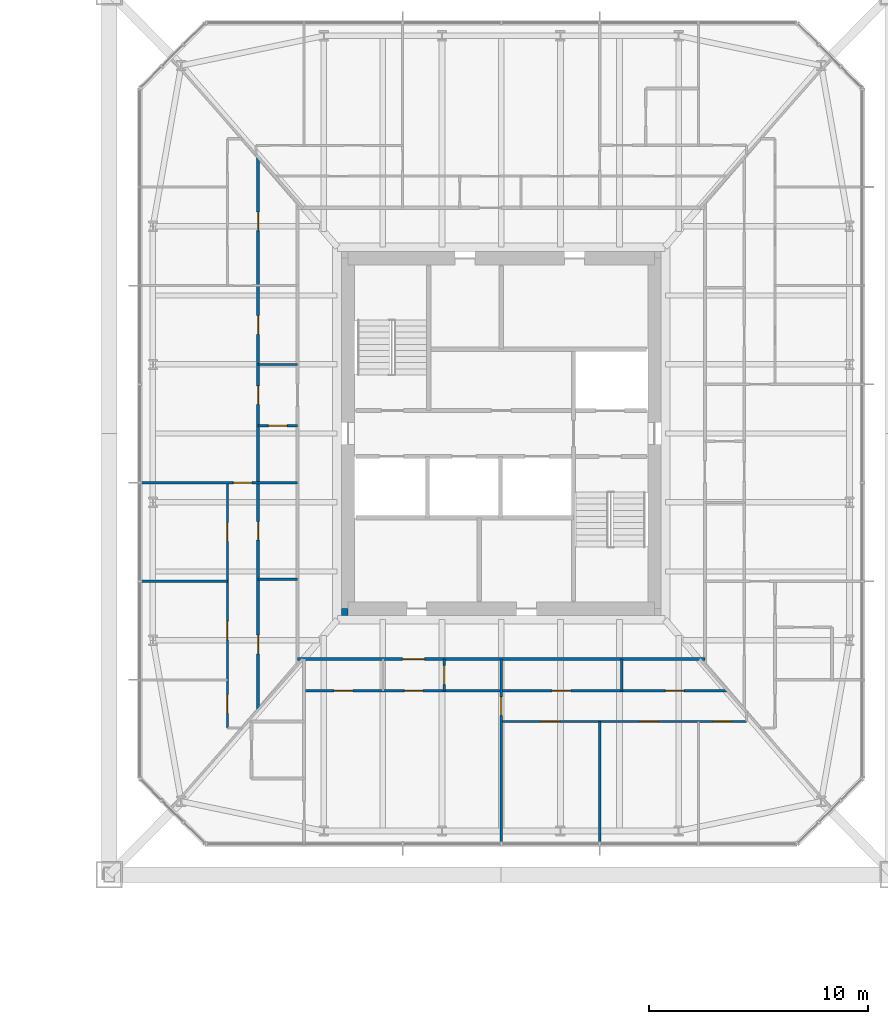
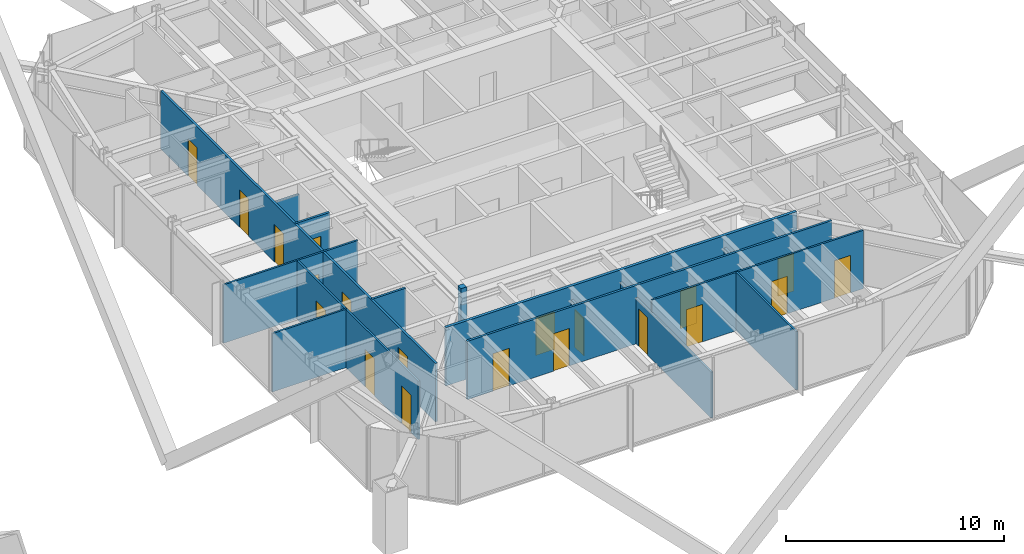
# One storey, part 19 of 27: 20 doors, 15 walls, 20 openings.
"""IFC4 building model written with IfcOpenShell, lengths in metres."""

from ifc_helpers import new_model, si_unit, direction, frame, frame_2d, origin, place, context, subcontext, project, spatial, rectangle, extrude, material, layer, layer_set, type_object, element, fill, save


model = new_model("IFC4")

# Units and contexts
model_context = context("Model", 3, precision=1e-05, world=origin(), true_north=direction((0.0, 1.0)))
body_context = subcontext(model_context, "Body", "Model", "MODEL_VIEW")
ifc_project = project(units=[si_unit("LENGTHUNIT", "METRE"), si_unit("AREAUNIT", "SQUARE_METRE"), si_unit("VOLUMEUNIT", "CUBIC_METRE"), si_unit("PLANEANGLEUNIT", "RADIAN"), si_unit("MASSUNIT", "GRAM", prefix="KILO")], contexts=[model_context])

# Site, building, storey
site_placement = place(None, origin())
site = spatial("IfcSite", under=ifc_project, at=site_placement, CompositionType="ELEMENT")
building_placement = place(site_placement, origin())
building = spatial("IfcBuilding", under=site, at=building_placement, Name="Iwan Alto Co-Living Towers", CompositionType="ELEMENT")
storey_placement = place(building_placement, frame((0.0, 0.0, 25.5)))
storey = spatial("IfcBuildingStorey", under=building, at=storey_placement, Name="L06", CompositionType="ELEMENT", Elevation=25.5)

# Wall, opening, door
ifc_material_1 = material(Name="Gypsum board")
ifc_layer_1 = layer(ifc_material_1, 0.02490234375, Name="Board", Category="Finish")
ifc_material_2 = material(Name="Steel ASTM A1003 ST33H cold-formed studs", Category="steel")
ifc_layer_2 = layer(ifc_material_2, 0.10009765625, Name="Studs", Category="Framing")
ifc_layer_3 = layer(ifc_material_1, 0.02490234375, Name="Board", Category="Finish")
ifc_layer_set_1 = layer_set([ifc_layer_1, ifc_layer_2, ifc_layer_3], Name="CORRIDOR WALL 150")
wall_type_1 = type_object("IfcWallType", Name="CORRIDOR WALL 150", PredefinedType="PARTITIONING", material=ifc_layer_set_1)
wall_1_placement = place(storey_placement, frame((53.699951171875, -10.300048828125, 0.0), z_axis=(0.0, 0.0, 1.0), x_axis=(1.0, 0.0, 0.0)))
wall_1 = element("IfcWall", 1, at=wall_1_placement, inside=storey, type_object=wall_type_1, Name="Partition L06", PredefinedType="PARTITIONING", context=body_context, shape_type="SweptSolid", body=[
    extrude(rectangle(XDim=18.60009765625, YDim=0.14990234375, at=frame_2d((9.300048828125, 0.0))), origin(), (0.0, 0.0, 1.0), 3.27001953125),
])
opening_1_placement = place(wall_1_placement, frame((4.800048828125, 0.0, 0.0)))
opening_1 = element("IfcOpeningElement", 2, at=opening_1_placement, cuts=wall_1, Name="Opening D3", PredefinedType="OPENING", context=body_context, shape_type="SweptSolid", body=[
    extrude(rectangle(XDim=1.0, YDim=2.10009765625, at=frame_2d((0.5, 1.050048828125))), frame((0.0, 0.0849609375, 0.0), z_axis=(0.0, -1.0, 0.0), x_axis=(1.0, 0.0, 0.0)), (0.0, 0.0, 1.0), 0.169921875),
])
ifc_material_3 = material(Name="Steel frame with timber leaf", Category="steel")
door_type_1 = type_object("IfcDoorType", Name="FLAT ENTRANCE DOOR FD30S 1000X2100", OperationType="SINGLE_SWING_LEFT", PredefinedType="DOOR", material=ifc_material_3)
door_1_placement = place(opening_1_placement, frame((1.0, 0.0, 0.0), z_axis=(0.0, 0.0, 1.0), x_axis=(-1.0, 0.0, 0.0)))
door_1 = element("IfcDoor", 3, at=door_1_placement, inside=storey, type_object=door_type_1, Name="Apartment foyer door L06", OperationType="SINGLE_SWING_RIGHT", OverallHeight=2.10009765625, OverallWidth=1.0, PredefinedType="DOOR", context=body_context, shape_type="SweptSolid", body=[
    extrude(rectangle(XDim=1.0, YDim=2.10009765625, at=frame_2d((0.5, 1.050048828125))), frame((0.0, 0.02490234375, 0.0), z_axis=(0.0, -1.0, 0.0), x_axis=(1.0, 0.0, 0.0)), (0.0, 0.0, 1.0), 0.050048828125),
])
fill(opening_1, door_1)

# Wall, openings, doors
ifc_layer_4 = layer(ifc_material_1, 0.012451171875, Name="Board", Category="Finish")
ifc_layer_5 = layer(ifc_material_2, 0.074951171875, Name="Studs", Category="Framing")
ifc_layer_6 = layer(ifc_material_1, 0.012451171875, Name="Board", Category="Finish")
ifc_layer_set_2 = layer_set([ifc_layer_4, ifc_layer_5, ifc_layer_6], Name="PARTITION 100")
wall_type_2 = type_object("IfcWallType", Name="PARTITION 100", PredefinedType="PARTITIONING", material=ifc_layer_set_2)
wall_2_placement = place(storey_placement, frame((63.0, -13.14990234375, 0.0), z_axis=(0.0, 0.0, 1.0), x_axis=(1.0, 0.0, 0.0)))
wall_2 = element("IfcWall", 4, at=wall_2_placement, inside=storey, type_object=wall_type_2, Name="Partition L06", PredefinedType="PARTITIONING", context=body_context, shape_type="SweptSolid", body=[
    extrude(rectangle(XDim=11.199951171875, YDim=0.10009765625, at=frame_2d((5.60009765625, 0.0))), origin(), (0.0, 0.0, 1.0), 3.27001953125),
])
opening_2_placement = place(wall_2_placement, frame((1.824951171875, 0.0, 0.0)))
opening_2 = element("IfcOpeningElement", 5, at=opening_2_placement, cuts=wall_2, Name="Opening D2", PredefinedType="OPENING", context=body_context, shape_type="SweptSolid", body=[
    extrude(rectangle(XDim=0.85009765625, YDim=2.10009765625, at=frame_2d((0.425048828125, 1.050048828125))), frame((0.0, 0.06005859375, 0.0), z_axis=(0.0, -1.0, 0.0), x_axis=(1.0, 0.0, 0.0)), (0.0, 0.0, 1.0), 0.1201171875),
])
opening_3_placement = place(wall_2_placement, frame((6.324951171875, 0.0, 0.0)))
opening_3 = element("IfcOpeningElement", 6, at=opening_3_placement, cuts=wall_2, Name="Opening D2", PredefinedType="OPENING", context=body_context, shape_type="SweptSolid", body=[
    extrude(rectangle(XDim=0.85009765625, YDim=2.10009765625, at=frame_2d((0.425048828125, 1.050048828125))), frame((0.0, 0.06005859375, 0.0), z_axis=(0.0, -1.0, 0.0), x_axis=(1.0, 0.0, 0.0)), (0.0, 0.0, 1.0), 0.1201171875),
])
opening_4_placement = place(wall_2_placement, frame((9.675048828125, 0.0, 0.0)))
opening_4 = element("IfcOpeningElement", 7, at=opening_4_placement, cuts=wall_2, Name="Opening D2", PredefinedType="OPENING", context=body_context, shape_type="SweptSolid", body=[
    extrude(rectangle(XDim=0.85009765625, YDim=2.10009765625, at=frame_2d((0.425048828125, 1.050048828125))), frame((0.0, 0.06005859375, 0.0), z_axis=(0.0, -1.0, 0.0), x_axis=(1.0, 0.0, 0.0)), (0.0, 0.0, 1.0), 0.1201171875),
])
ifc_material_4 = material(Name="Timber leaf in steel frame", Category="steel")
door_type_2 = type_object("IfcDoorType", Name="ROOM DOOR 850X2100", OperationType="SINGLE_SWING_LEFT", PredefinedType="DOOR", material=ifc_material_4)
door_2_placement = place(opening_2_placement, frame((0.85009765625, 0.0, 0.0), z_axis=(0.0, 0.0, 1.0), x_axis=(-1.0, 0.0, 0.0)))
door_2 = element("IfcDoor", 8, at=door_2_placement, inside=storey, type_object=door_type_2, Name="Bedroom door L06", OperationType="SINGLE_SWING_RIGHT", OverallHeight=2.10009765625, OverallWidth=0.85009765625, PredefinedType="DOOR", context=body_context, shape_type="SweptSolid", body=[
    extrude(rectangle(XDim=0.85009765625, YDim=2.10009765625, at=frame_2d((0.425048828125, 1.050048828125))), frame((0.0, 0.02490234375, 0.0), z_axis=(0.0, -1.0, 0.0), x_axis=(1.0, 0.0, 0.0)), (0.0, 0.0, 1.0), 0.050048828125),
])
fill(opening_2, door_2)
door_3_placement = place(opening_3_placement, frame((0.85009765625, 0.0, 0.0), z_axis=(0.0, 0.0, 1.0), x_axis=(-1.0, 0.0, 0.0)))
door_3 = element("IfcDoor", 9, at=door_3_placement, inside=storey, type_object=door_type_2, Name="Study door L06", OperationType="SINGLE_SWING_RIGHT", OverallHeight=2.10009765625, OverallWidth=0.85009765625, PredefinedType="DOOR", context=body_context, shape_type="SweptSolid", body=[
    extrude(rectangle(XDim=0.85009765625, YDim=2.10009765625, at=frame_2d((0.425048828125, 1.050048828125))), frame((0.0, 0.02490234375, 0.0), z_axis=(0.0, -1.0, 0.0), x_axis=(1.0, 0.0, 0.0)), (0.0, 0.0, 1.0), 0.050048828125),
])
fill(opening_3, door_3)
door_4_placement = place(opening_4_placement, frame((0.85009765625, 0.0, 0.0), z_axis=(0.0, 0.0, 1.0), x_axis=(-1.0, 0.0, 0.0)))
door_4 = element("IfcDoor", 10, at=door_4_placement, inside=storey, type_object=door_type_2, Name="Bedroom door L06", OperationType="SINGLE_SWING_RIGHT", OverallHeight=2.10009765625, OverallWidth=0.85009765625, PredefinedType="DOOR", context=body_context, shape_type="SweptSolid", body=[
    extrude(rectangle(XDim=0.85009765625, YDim=2.10009765625, at=frame_2d((0.425048828125, 1.050048828125))), frame((0.0, 0.02490234375, 0.0), z_axis=(0.0, -1.0, 0.0), x_axis=(1.0, 0.0, 0.0)), (0.0, 0.0, 1.0), 0.050048828125),
])
fill(opening_4, door_4)

# Wall
wall_3_placement = place(storey_placement, frame((46.56005859375, -6.75, 0.0), z_axis=(0.0, 0.0, 1.0), x_axis=(1.0, 0.0, 0.0)))
element("IfcWall", 11, at=wall_3_placement, inside=storey, type_object=wall_type_2, Name="Partition L06", PredefinedType="PARTITIONING", context=body_context, shape_type="SweptSolid", body=[
    extrude(rectangle(XDim=3.93994140625, YDim=0.10009765625, at=frame_2d((1.969970703125, 0.0))), origin(), (0.0, 0.0, 1.0), 3.27001953125),
])

# Wall, opening, door
wall_4_placement = place(storey_placement, frame((46.56005859375, -2.25, 0.0), z_axis=(0.0, 0.0, 1.0), x_axis=(1.0, 0.0, 0.0)))
wall_4 = element("IfcWall", 12, at=wall_4_placement, inside=storey, type_object=wall_type_2, Name="Partition L06", PredefinedType="PARTITIONING", context=body_context, shape_type="SweptSolid", body=[
    extrude(rectangle(XDim=7.139892578125, YDim=0.10009765625, at=frame_2d((3.56982421875, 0.0))), origin(), (0.0, 0.0, 1.0), 3.27001953125),
])
opening_5_placement = place(wall_4_placement, frame((4.215087890625, 0.0, 0.0)))
opening_5 = element("IfcOpeningElement", 13, at=opening_5_placement, cuts=wall_4, Name="Opening D2", PredefinedType="OPENING", context=body_context, shape_type="SweptSolid", body=[
    extrude(rectangle(XDim=0.85009765625, YDim=2.10009765625, at=frame_2d((0.425048828125, 1.050048828125))), frame((0.0, 0.06005859375, 0.0), z_axis=(0.0, -1.0, 0.0), x_axis=(1.0, 0.0, 0.0)), (0.0, 0.0, 1.0), 0.1201171875),
])
door_5_placement = place(opening_5_placement, origin())
door_5 = element("IfcDoor", 14, at=door_5_placement, inside=storey, type_object=door_type_2, Name="Apartment hall door L06", OperationType="SINGLE_SWING_RIGHT", OverallHeight=2.10009765625, OverallWidth=0.85009765625, PredefinedType="DOOR", context=body_context, shape_type="SweptSolid", body=[
    extrude(rectangle(XDim=0.85009765625, YDim=2.10009765625, at=frame_2d((0.425048828125, 1.050048828125))), frame((0.0, 0.02490234375, 0.0), z_axis=(0.0, -1.0, 0.0), x_axis=(1.0, 0.0, 0.0)), (0.0, 0.0, 1.0), 0.050048828125),
])
fill(opening_5, door_5)

# Walls
wall_5_placement = place(storey_placement, frame((51.89990234375, 3.14990234375, 0.0), z_axis=(0.0, 0.0, 1.0), x_axis=(1.0, 0.0, 0.0)))
element("IfcWall", 15, at=wall_5_placement, inside=storey, type_object=wall_type_2, Name="Partition L06", PredefinedType="PARTITIONING", context=body_context, shape_type="SweptSolid", body=[
    extrude(rectangle(XDim=1.800048828125, YDim=0.10009765625, at=frame_2d((0.89990234375, 0.0))), origin(), (0.0, 0.0, 1.0), 2.586669921875),
])
wall_6_placement = place(storey_placement, frame((67.5, -18.68994140625, 0.0), z_axis=(0.0, 0.0, 1.0), x_axis=(0.0, 1.0, 0.0)))
element("IfcWall", 16, at=wall_6_placement, inside=storey, type_object=wall_type_2, Name="Partition L06", PredefinedType="PARTITIONING", context=body_context, shape_type="SweptSolid", body=[
    extrude(rectangle(XDim=5.5400390625, YDim=0.10009765625, at=frame_2d((2.77001953125, 0.0))), origin(), (0.0, 0.0, 1.0), 3.27001953125),
])

# Wall, opening, door
wall_7_placement = place(storey_placement, frame((63.0, -18.68994140625, 0.0), z_axis=(0.0, 0.0, 1.0), x_axis=(0.0, 1.0, 0.0)))
wall_7 = element("IfcWall", 17, at=wall_7_placement, inside=storey, type_object=wall_type_2, Name="Partition L06", PredefinedType="PARTITIONING", context=body_context, shape_type="SweptSolid", body=[
    extrude(rectangle(XDim=8.389892578125, YDim=0.10009765625, at=frame_2d((4.19482421875, 0.0))), origin(), (0.0, 0.0, 1.0), 2.586669921875),
])
opening_6_placement = place(wall_7_placement, frame((5.81494140625, 0.0, 0.0)))
opening_6 = element("IfcOpeningElement", 18, at=opening_6_placement, cuts=wall_7, Name="Opening D2", PredefinedType="OPENING", context=body_context, shape_type="SweptSolid", body=[
    extrude(rectangle(XDim=0.85009765625, YDim=2.10009765625, at=frame_2d((0.425048828125, 1.050048828125))), frame((0.0, 0.06005859375, 0.0), z_axis=(0.0, -1.0, 0.0), x_axis=(1.0, 0.0, 0.0)), (0.0, 0.0, 1.0), 0.1201171875),
])
door_6_placement = place(opening_6_placement, origin())
door_6 = element("IfcDoor", 19, at=door_6_placement, inside=storey, type_object=door_type_2, Name="Apartment hall door L06", OperationType="SINGLE_SWING_RIGHT", OverallHeight=2.10009765625, OverallWidth=0.85009765625, PredefinedType="DOOR", context=body_context, shape_type="SweptSolid", body=[
    extrude(rectangle(XDim=0.85009765625, YDim=2.10009765625, at=frame_2d((0.425048828125, 1.050048828125))), frame((0.0, 0.02490234375, 0.0), z_axis=(0.0, -1.0, 0.0), x_axis=(1.0, 0.0, 0.0)), (0.0, 0.0, 1.0), 0.050048828125),
])
fill(opening_6, door_6)

# Wall, openings, doors
wall_8_placement = place(storey_placement, frame((50.5, -13.449951171875, 0.0), z_axis=(0.0, 0.0, 1.0), x_axis=(0.0, 1.0, 0.0)))
wall_8 = element("IfcWall", 20, at=wall_8_placement, inside=storey, type_object=wall_type_2, Name="Partition L06", PredefinedType="PARTITIONING", context=body_context, shape_type="SweptSolid", body=[
    extrude(rectangle(XDim=11.199951171875, YDim=0.10009765625, at=frame_2d((5.60009765625, 0.0))), origin(), (0.0, 0.0, 1.0), 3.27001953125),
])
opening_7_placement = place(wall_8_placement, frame((8.52490234375, 0.0, 0.0)))
opening_7 = element("IfcOpeningElement", 21, at=opening_7_placement, cuts=wall_8, Name="Opening D2", PredefinedType="OPENING", context=body_context, shape_type="SweptSolid", body=[
    extrude(rectangle(XDim=0.85009765625, YDim=2.10009765625, at=frame_2d((0.425048828125, 1.050048828125))), frame((0.0, 0.06005859375, 0.0), z_axis=(0.0, -1.0, 0.0), x_axis=(1.0, 0.0, 0.0)), (0.0, 0.0, 1.0), 0.1201171875),
])
opening_8_placement = place(wall_8_placement, frame((4.02490234375, 0.0, 0.0)))
opening_8 = element("IfcOpeningElement", 22, at=opening_8_placement, cuts=wall_8, Name="Opening D2", PredefinedType="OPENING", context=body_context, shape_type="SweptSolid", body=[
    extrude(rectangle(XDim=0.85009765625, YDim=2.10009765625, at=frame_2d((0.425048828125, 1.050048828125))), frame((0.0, 0.06005859375, 0.0), z_axis=(0.0, -1.0, 0.0), x_axis=(1.0, 0.0, 0.0)), (0.0, 0.0, 1.0), 0.1201171875),
])
opening_9_placement = place(wall_8_placement, frame((0.675048828125, 0.0, 0.0)))
opening_9 = element("IfcOpeningElement", 23, at=opening_9_placement, cuts=wall_8, Name="Opening D2", PredefinedType="OPENING", context=body_context, shape_type="SweptSolid", body=[
    extrude(rectangle(XDim=0.85009765625, YDim=2.10009765625, at=frame_2d((0.425048828125, 1.050048828125))), frame((0.0, 0.06005859375, 0.0), z_axis=(0.0, -1.0, 0.0), x_axis=(1.0, 0.0, 0.0)), (0.0, 0.0, 1.0), 0.1201171875),
])
door_7_placement = place(opening_7_placement, origin())
door_7 = element("IfcDoor", 24, at=door_7_placement, inside=storey, type_object=door_type_2, Name="Family room door L06", OperationType="SINGLE_SWING_LEFT", OverallHeight=2.10009765625, OverallWidth=0.85009765625, PredefinedType="DOOR", context=body_context, shape_type="SweptSolid", body=[
    extrude(rectangle(XDim=0.85009765625, YDim=2.10009765625, at=frame_2d((0.425048828125, 1.050048828125))), frame((0.0, 0.02490234375, 0.0), z_axis=(0.0, -1.0, 0.0), x_axis=(1.0, 0.0, 0.0)), (0.0, 0.0, 1.0), 0.050048828125),
])
fill(opening_7, door_7)
door_8_placement = place(opening_8_placement, origin())
door_8 = element("IfcDoor", 25, at=door_8_placement, inside=storey, type_object=door_type_2, Name="Bedroom door L06", OperationType="SINGLE_SWING_LEFT", OverallHeight=2.10009765625, OverallWidth=0.85009765625, PredefinedType="DOOR", context=body_context, shape_type="SweptSolid", body=[
    extrude(rectangle(XDim=0.85009765625, YDim=2.10009765625, at=frame_2d((0.425048828125, 1.050048828125))), frame((0.0, 0.02490234375, 0.0), z_axis=(0.0, -1.0, 0.0), x_axis=(1.0, 0.0, 0.0)), (0.0, 0.0, 1.0), 0.050048828125),
])
fill(opening_8, door_8)
door_9_placement = place(opening_9_placement, origin())
door_9 = element("IfcDoor", 26, at=door_9_placement, inside=storey, type_object=door_type_2, Name="Bedroom door L06", OperationType="SINGLE_SWING_RIGHT", OverallHeight=2.10009765625, OverallWidth=0.85009765625, PredefinedType="DOOR", context=body_context, shape_type="SweptSolid", body=[
    extrude(rectangle(XDim=0.85009765625, YDim=2.10009765625, at=frame_2d((0.425048828125, 1.050048828125))), frame((0.0, 0.02490234375, 0.0), z_axis=(0.0, -1.0, 0.0), x_axis=(1.0, 0.0, 0.0)), (0.0, 0.0, 1.0), 0.050048828125),
])
fill(opening_9, door_9)

# Wall
ifc_material_5 = material(Name="Concrete f'c 70 MPa", Category="concrete")
ifc_layer_7 = layer(ifc_material_5, 0.300048828125)
ifc_layer_set_3 = layer_set([ifc_layer_7], Name="T2 CORE CORNER FILL 300")
wall_type_3 = type_object("IfcWallType", Name="T2 CORE CORNER FILL 300", PredefinedType="SOLIDWALL", material=ifc_layer_set_3)
wall_9_placement = place(storey_placement, frame((55.699951171875, -8.14990234375, 0.0), z_axis=(0.0, 0.0, 1.0), x_axis=(1.0, 0.0, 0.0)))
element("IfcWall", 27, at=wall_9_placement, inside=storey, type_object=wall_type_3, Name="T2 core corner SW L06", PredefinedType="SOLIDWALL", context=body_context, shape_type="SweptSolid", body=[
    extrude(rectangle(XDim=0.300048828125, YDim=0.300048828125, at=frame_2d((0.14990234375, 0.0))), origin(), (0.0, 0.0, 1.0), 3.5),
])

# Wall, openings, doors
ifc_material_6 = material(Name="Cement board")
ifc_layer_8 = layer(ifc_material_6, 0.012451171875, Name="Board", Category="Finish")
ifc_layer_9 = layer(ifc_material_2, 0.094970703125, Name="Studs", Category="Framing")
ifc_layer_10 = layer(ifc_material_6, 0.012451171875, Name="Board", Category="Finish")
ifc_layer_set_4 = layer_set([ifc_layer_8, ifc_layer_9, ifc_layer_10], Name="WET AREA PARTITION 120")
wall_type_4 = type_object("IfcWallType", Name="WET AREA PARTITION 120", PredefinedType="PARTITIONING", material=ifc_layer_set_4)
wall_10_placement = place(storey_placement, frame((54.0, -11.75, 0.0), z_axis=(0.0, 0.0, 1.0), x_axis=(1.0, 0.0, 0.0)))
wall_10 = element("IfcWall", 28, at=wall_10_placement, inside=storey, type_object=wall_type_4, Name="Partition L06", PredefinedType="PARTITIONING", context=body_context, shape_type="SweptSolid", body=[
    extrude(rectangle(XDim=19.340087890625, YDim=0.1201171875, at=frame_2d((9.669921875, 0.0))), origin(), (0.0, 0.0, 1.0), 3.27001953125),
])
opening_10_placement = place(wall_10_placement, frame((1.375, 0.0, 0.0)))
opening_10 = element("IfcOpeningElement", 29, at=opening_10_placement, cuts=wall_10, Name="Opening D2", PredefinedType="OPENING", context=body_context, shape_type="SweptSolid", body=[
    extrude(rectangle(XDim=0.85009765625, YDim=2.10009765625, at=frame_2d((0.425048828125, 1.050048828125))), frame((0.0, 0.070068359375, 0.0), z_axis=(0.0, -1.0, 0.0), x_axis=(1.0, 0.0, 0.0)), (0.0, 0.0, 1.0), 0.14013671875),
])
opening_11_placement = place(wall_10_placement, frame((4.574951171875, 0.0, 0.0)))
opening_11 = element("IfcOpeningElement", 30, at=opening_11_placement, cuts=wall_10, Name="Opening D2", PredefinedType="OPENING", context=body_context, shape_type="SweptSolid", body=[
    extrude(rectangle(XDim=0.85009765625, YDim=2.10009765625, at=frame_2d((0.425048828125, 1.050048828125))), frame((0.0, 0.070068359375, 0.0), z_axis=(0.0, -1.0, 0.0), x_axis=(1.0, 0.0, 0.0)), (0.0, 0.0, 1.0), 0.14013671875),
])
opening_12_placement = place(wall_10_placement, frame((11.324951171875, 0.0, 0.0)))
opening_12 = element("IfcOpeningElement", 31, at=opening_12_placement, cuts=wall_10, Name="Opening D2", PredefinedType="OPENING", context=body_context, shape_type="SweptSolid", body=[
    extrude(rectangle(XDim=0.85009765625, YDim=2.10009765625, at=frame_2d((0.425048828125, 1.050048828125))), frame((0.0, 0.070068359375, 0.0), z_axis=(0.0, -1.0, 0.0), x_axis=(1.0, 0.0, 0.0)), (0.0, 0.0, 1.0), 0.14013671875),
])
opening_13_placement = place(wall_10_placement, frame((16.4951171875, 0.0, 0.0)))
opening_13 = element("IfcOpeningElement", 32, at=opening_13_placement, cuts=wall_10, Name="Opening D2", PredefinedType="OPENING", context=body_context, shape_type="SweptSolid", body=[
    extrude(rectangle(XDim=0.85009765625, YDim=2.10009765625, at=frame_2d((0.425048828125, 1.050048828125))), frame((0.0, 0.070068359375, 0.0), z_axis=(0.0, -1.0, 0.0), x_axis=(1.0, 0.0, 0.0)), (0.0, 0.0, 1.0), 0.14013671875),
])
door_10_placement = place(opening_10_placement, frame((0.85009765625, 0.0, 0.0), z_axis=(0.0, 0.0, 1.0), x_axis=(-1.0, 0.0, 0.0)))
door_10 = element("IfcDoor", 33, at=door_10_placement, inside=storey, type_object=door_type_2, Name="Kitchen door L06", OperationType="SINGLE_SWING_RIGHT", OverallHeight=2.10009765625, OverallWidth=0.85009765625, PredefinedType="DOOR", context=body_context, shape_type="SweptSolid", body=[
    extrude(rectangle(XDim=0.85009765625, YDim=2.10009765625, at=frame_2d((0.425048828125, 1.050048828125))), frame((0.0, 0.02490234375, 0.0), z_axis=(0.0, -1.0, 0.0), x_axis=(1.0, 0.0, 0.0)), (0.0, 0.0, 1.0), 0.050048828125),
])
fill(opening_10, door_10)
door_11_placement = place(opening_11_placement, frame((0.85009765625, 0.0, 0.0), z_axis=(0.0, 0.0, 1.0), x_axis=(-1.0, 0.0, 0.0)))
door_11 = element("IfcDoor", 34, at=door_11_placement, inside=storey, type_object=door_type_2, Name="Apartment foyer door L06", OperationType="SINGLE_SWING_LEFT", OverallHeight=2.10009765625, OverallWidth=0.85009765625, PredefinedType="DOOR", context=body_context, shape_type="SweptSolid", body=[
    extrude(rectangle(XDim=0.85009765625, YDim=2.10009765625, at=frame_2d((0.425048828125, 1.050048828125))), frame((0.0, 0.02490234375, 0.0), z_axis=(0.0, -1.0, 0.0), x_axis=(1.0, 0.0, 0.0)), (0.0, 0.0, 1.0), 0.050048828125),
])
fill(opening_11, door_11)
door_12_placement = place(opening_12_placement, origin())
door_12 = element("IfcDoor", 35, at=door_12_placement, inside=storey, type_object=door_type_2, Name="Utility room door L06", OperationType="SINGLE_SWING_LEFT", OverallHeight=2.10009765625, OverallWidth=0.85009765625, PredefinedType="DOOR", context=body_context, shape_type="SweptSolid", body=[
    extrude(rectangle(XDim=0.85009765625, YDim=2.10009765625, at=frame_2d((0.425048828125, 1.050048828125))), frame((0.0, 0.02490234375, 0.0), z_axis=(0.0, -1.0, 0.0), x_axis=(1.0, 0.0, 0.0)), (0.0, 0.0, 1.0), 0.050048828125),
])
fill(opening_12, door_12)
door_13_placement = place(opening_13_placement, origin())
door_13 = element("IfcDoor", 36, at=door_13_placement, inside=storey, type_object=door_type_2, Name="Store room door L06", OperationType="SINGLE_SWING_RIGHT", OverallHeight=2.10009765625, OverallWidth=0.85009765625, PredefinedType="DOOR", context=body_context, shape_type="SweptSolid", body=[
    extrude(rectangle(XDim=0.85009765625, YDim=2.10009765625, at=frame_2d((0.425048828125, 1.050048828125))), frame((0.0, 0.02490234375, 0.0), z_axis=(0.0, -1.0, 0.0), x_axis=(1.0, 0.0, 0.0)), (0.0, 0.0, 1.0), 0.050048828125),
])
fill(opening_13, door_13)

# Wall
wall_11_placement = place(storey_placement, frame((51.89990234375, -6.64990234375, 0.0), z_axis=(0.0, 0.0, 1.0), x_axis=(1.0, 0.0, 0.0)))
element("IfcWall", 37, at=wall_11_placement, inside=storey, type_object=wall_type_4, Name="Partition L06", PredefinedType="PARTITIONING", context=body_context, shape_type="SweptSolid", body=[
    extrude(rectangle(XDim=1.800048828125, YDim=0.1201171875, at=frame_2d((0.89990234375, 0.0))), origin(), (0.0, 0.0, 1.0), 3.27001953125),
])

# Wall, opening, door
wall_12_placement = place(storey_placement, frame((51.89990234375, 0.35009765625, 0.0), z_axis=(0.0, 0.0, 1.0), x_axis=(1.0, 0.0, 0.0)))
wall_12 = element("IfcWall", 38, at=wall_12_placement, inside=storey, type_object=wall_type_4, Name="Partition L06", PredefinedType="PARTITIONING", context=body_context, shape_type="SweptSolid", body=[
    extrude(rectangle(XDim=1.800048828125, YDim=0.1201171875, at=frame_2d((0.89990234375, 0.0))), origin(), (0.0, 0.0, 1.0), 3.27001953125),
])
opening_14_placement = place(wall_12_placement, frame((0.47509765625, 0.0, 0.0)))
opening_14 = element("IfcOpeningElement", 39, at=opening_14_placement, cuts=wall_12, Name="Opening D2", PredefinedType="OPENING", context=body_context, shape_type="SweptSolid", body=[
    extrude(rectangle(XDim=0.85009765625, YDim=2.10009765625, at=frame_2d((0.425048828125, 1.050048828125))), frame((0.0, 0.070068359375, 0.0), z_axis=(0.0, -1.0, 0.0), x_axis=(1.0, 0.0, 0.0)), (0.0, 0.0, 1.0), 0.14013671875),
])
door_14_placement = place(opening_14_placement, frame((0.85009765625, 0.0, 0.0), z_axis=(0.0, 0.0, 1.0), x_axis=(-1.0, 0.0, 0.0)))
door_14 = element("IfcDoor", 40, at=door_14_placement, inside=storey, type_object=door_type_2, Name="Bathroom door L06", OperationType="SINGLE_SWING_RIGHT", OverallHeight=2.10009765625, OverallWidth=0.85009765625, PredefinedType="DOOR", context=body_context, shape_type="SweptSolid", body=[
    extrude(rectangle(XDim=0.85009765625, YDim=2.10009765625, at=frame_2d((0.425048828125, 1.050048828125))), frame((0.0, 0.02490234375, 0.0), z_axis=(0.0, -1.0, 0.0), x_axis=(1.0, 0.0, 0.0)), (0.0, 0.0, 1.0), 0.050048828125),
])
fill(opening_14, door_14)

# Wall
wall_13_placement = place(storey_placement, frame((68.5, -11.75, 0.0), z_axis=(0.0, 0.0, 1.0), x_axis=(0.0, 1.0, 0.0)))
element("IfcWall", 41, at=wall_13_placement, inside=storey, type_object=wall_type_4, Name="Partition L06", PredefinedType="PARTITIONING", context=body_context, shape_type="SweptSolid", body=[
    extrude(rectangle(XDim=1.449951171875, YDim=0.1201171875, at=frame_2d((0.72509765625, 0.0))), origin(), (0.0, 0.0, 1.0), 2.586669921875),
])

# Wall, opening, door
wall_14_placement = place(storey_placement, frame((60.39990234375, -11.75, 0.0), z_axis=(0.0, 0.0, 1.0), x_axis=(0.0, 1.0, 0.0)))
wall_14 = element("IfcWall", 42, at=wall_14_placement, inside=storey, type_object=wall_type_4, Name="Partition L06", PredefinedType="PARTITIONING", context=body_context, shape_type="SweptSolid", body=[
    extrude(rectangle(XDim=1.449951171875, YDim=0.1201171875, at=frame_2d((0.72509765625, 0.0))), origin(), (0.0, 0.0, 1.0), 2.508056640625),
])
opening_15_placement = place(wall_14_placement, frame((0.300048828125, 0.0, 0.0)))
opening_15 = element("IfcOpeningElement", 43, at=opening_15_placement, cuts=wall_14, Name="Opening D2", PredefinedType="OPENING", context=body_context, shape_type="SweptSolid", body=[
    extrude(rectangle(XDim=0.85009765625, YDim=2.10009765625, at=frame_2d((0.425048828125, 1.050048828125))), frame((0.0, 0.070068359375, 0.0), z_axis=(0.0, -1.0, 0.0), x_axis=(1.0, 0.0, 0.0)), (0.0, 0.0, 1.0), 0.14013671875),
])
door_15_placement = place(opening_15_placement, frame((0.85009765625, 0.0, 0.0), z_axis=(0.0, 0.0, 1.0), x_axis=(-1.0, 0.0, 0.0)))
door_15 = element("IfcDoor", 44, at=door_15_placement, inside=storey, type_object=door_type_2, Name="Shower room door L06", OperationType="SINGLE_SWING_RIGHT", OverallHeight=2.10009765625, OverallWidth=0.85009765625, PredefinedType="DOOR", context=body_context, shape_type="SweptSolid", body=[
    extrude(rectangle(XDim=0.85009765625, YDim=2.10009765625, at=frame_2d((0.425048828125, 1.050048828125))), frame((0.0, 0.02490234375, 0.0), z_axis=(0.0, -1.0, 0.0), x_axis=(1.0, 0.0, 0.0)), (0.0, 0.0, 1.0), 0.050048828125),
])
fill(opening_15, door_15)

# Wall, openings, doors
wall_15_placement = place(storey_placement, frame((51.89990234375, -12.614013671875, 0.0), z_axis=(0.0, 0.0, 1.0), x_axis=(0.0, 1.0, 0.0)))
wall_15 = element("IfcWall", 45, at=wall_15_placement, inside=storey, type_object=wall_type_4, Name="Partition L06", PredefinedType="PARTITIONING", context=body_context, shape_type="SweptSolid", body=[
    extrude(rectangle(XDim=25.22802734375, YDim=0.1201171875, at=frame_2d((12.614013671875, 0.0))), origin(), (0.0, 0.0, 1.0), 3.27001953125),
])
opening_16_placement = place(wall_15_placement, frame((17.138916015625, 0.0, 0.0)))
opening_16 = element("IfcOpeningElement", 46, at=opening_16_placement, cuts=wall_15, Name="Opening D2", PredefinedType="OPENING", context=body_context, shape_type="SweptSolid", body=[
    extrude(rectangle(XDim=0.85009765625, YDim=2.10009765625, at=frame_2d((0.425048828125, 1.050048828125))), frame((0.0, 0.070068359375, 0.0), z_axis=(0.0, -1.0, 0.0), x_axis=(1.0, 0.0, 0.0)), (0.0, 0.0, 1.0), 0.14013671875),
])
opening_17_placement = place(wall_15_placement, frame((13.93896484375, 0.0, 0.0)))
opening_17 = element("IfcOpeningElement", 47, at=opening_17_placement, cuts=wall_15, Name="Opening D2", PredefinedType="OPENING", context=body_context, shape_type="SweptSolid", body=[
    extrude(rectangle(XDim=0.85009765625, YDim=2.10009765625, at=frame_2d((0.425048828125, 1.050048828125))), frame((0.0, 0.070068359375, 0.0), z_axis=(0.0, -1.0, 0.0), x_axis=(1.0, 0.0, 0.0)), (0.0, 0.0, 1.0), 0.14013671875),
])
opening_18_placement = place(wall_15_placement, frame((21.87109375, 0.0, 0.0)))
opening_18 = element("IfcOpeningElement", 48, at=opening_18_placement, cuts=wall_15, Name="Opening D2", PredefinedType="OPENING", context=body_context, shape_type="SweptSolid", body=[
    extrude(rectangle(XDim=0.85009765625, YDim=2.10009765625, at=frame_2d((0.425048828125, 1.050048828125))), frame((0.0, 0.070068359375, 0.0), z_axis=(0.0, -1.0, 0.0), x_axis=(1.0, 0.0, 0.0)), (0.0, 0.0, 1.0), 0.14013671875),
])
opening_19_placement = place(wall_15_placement, frame((7.739013671875, 0.0, 0.0)))
opening_19 = element("IfcOpeningElement", 49, at=opening_19_placement, cuts=wall_15, Name="Opening D2", PredefinedType="OPENING", context=body_context, shape_type="SweptSolid", body=[
    extrude(rectangle(XDim=0.85009765625, YDim=2.10009765625, at=frame_2d((0.425048828125, 1.050048828125))), frame((0.0, 0.070068359375, 0.0), z_axis=(0.0, -1.0, 0.0), x_axis=(1.0, 0.0, 0.0)), (0.0, 0.0, 1.0), 0.14013671875),
])
opening_20_placement = place(wall_15_placement, frame((2.556884765625, 0.0, 0.0)))
opening_20 = element("IfcOpeningElement", 50, at=opening_20_placement, cuts=wall_15, Name="Opening D2", PredefinedType="OPENING", context=body_context, shape_type="SweptSolid", body=[
    extrude(rectangle(XDim=0.85009765625, YDim=2.10009765625, at=frame_2d((0.425048828125, 1.050048828125))), frame((0.0, 0.070068359375, 0.0), z_axis=(0.0, -1.0, 0.0), x_axis=(1.0, 0.0, 0.0)), (0.0, 0.0, 1.0), 0.14013671875),
])
door_16_placement = place(opening_16_placement, origin())
door_16 = element("IfcDoor", 51, at=door_16_placement, inside=storey, type_object=door_type_2, Name="Kitchen door L06", OperationType="SINGLE_SWING_RIGHT", OverallHeight=2.10009765625, OverallWidth=0.85009765625, PredefinedType="DOOR", context=body_context, shape_type="SweptSolid", body=[
    extrude(rectangle(XDim=0.85009765625, YDim=2.10009765625, at=frame_2d((0.425048828125, 1.050048828125))), frame((0.0, 0.02490234375, 0.0), z_axis=(0.0, -1.0, 0.0), x_axis=(1.0, 0.0, 0.0)), (0.0, 0.0, 1.0), 0.050048828125),
])
fill(opening_16, door_16)
door_17_placement = place(opening_17_placement, origin())
door_17 = element("IfcDoor", 52, at=door_17_placement, inside=storey, type_object=door_type_2, Name="Apartment foyer door L06", OperationType="SINGLE_SWING_LEFT", OverallHeight=2.10009765625, OverallWidth=0.85009765625, PredefinedType="DOOR", context=body_context, shape_type="SweptSolid", body=[
    extrude(rectangle(XDim=0.85009765625, YDim=2.10009765625, at=frame_2d((0.425048828125, 1.050048828125))), frame((0.0, 0.02490234375, 0.0), z_axis=(0.0, -1.0, 0.0), x_axis=(1.0, 0.0, 0.0)), (0.0, 0.0, 1.0), 0.050048828125),
])
fill(opening_17, door_17)
door_18_placement = place(opening_18_placement, frame((0.85009765625, 0.0, 0.0), z_axis=(0.0, 0.0, 1.0), x_axis=(-1.0, 0.0, 0.0)))
door_18 = element("IfcDoor", 53, at=door_18_placement, inside=storey, type_object=door_type_2, Name="Utility room door L06", OperationType="SINGLE_SWING_LEFT", OverallHeight=2.10009765625, OverallWidth=0.85009765625, PredefinedType="DOOR", context=body_context, shape_type="SweptSolid", body=[
    extrude(rectangle(XDim=0.85009765625, YDim=2.10009765625, at=frame_2d((0.425048828125, 1.050048828125))), frame((0.0, 0.02490234375, 0.0), z_axis=(0.0, -1.0, 0.0), x_axis=(1.0, 0.0, 0.0)), (0.0, 0.0, 1.0), 0.050048828125),
])
fill(opening_18, door_18)
door_19_placement = place(opening_19_placement, frame((0.85009765625, 0.0, 0.0), z_axis=(0.0, 0.0, 1.0), x_axis=(-1.0, 0.0, 0.0)))
door_19 = element("IfcDoor", 54, at=door_19_placement, inside=storey, type_object=door_type_2, Name="Utility room door L06", OperationType="SINGLE_SWING_RIGHT", OverallHeight=2.10009765625, OverallWidth=0.85009765625, PredefinedType="DOOR", context=body_context, shape_type="SweptSolid", body=[
    extrude(rectangle(XDim=0.85009765625, YDim=2.10009765625, at=frame_2d((0.425048828125, 1.050048828125))), frame((0.0, 0.02490234375, 0.0), z_axis=(0.0, -1.0, 0.0), x_axis=(1.0, 0.0, 0.0)), (0.0, 0.0, 1.0), 0.050048828125),
])
fill(opening_19, door_19)
door_20_placement = place(opening_20_placement, frame((0.85009765625, 0.0, 0.0), z_axis=(0.0, 0.0, 1.0), x_axis=(-1.0, 0.0, 0.0)))
door_20 = element("IfcDoor", 55, at=door_20_placement, inside=storey, type_object=door_type_2, Name="Store room door L06", OperationType="SINGLE_SWING_RIGHT", OverallHeight=2.10009765625, OverallWidth=0.85009765625, PredefinedType="DOOR", context=body_context, shape_type="SweptSolid", body=[
    extrude(rectangle(XDim=0.85009765625, YDim=2.10009765625, at=frame_2d((0.425048828125, 1.050048828125))), frame((0.0, 0.02490234375, 0.0), z_axis=(0.0, -1.0, 0.0), x_axis=(1.0, 0.0, 0.0)), (0.0, 0.0, 1.0), 0.050048828125),
])
fill(opening_20, door_20)

save(model, "model.ifc")
